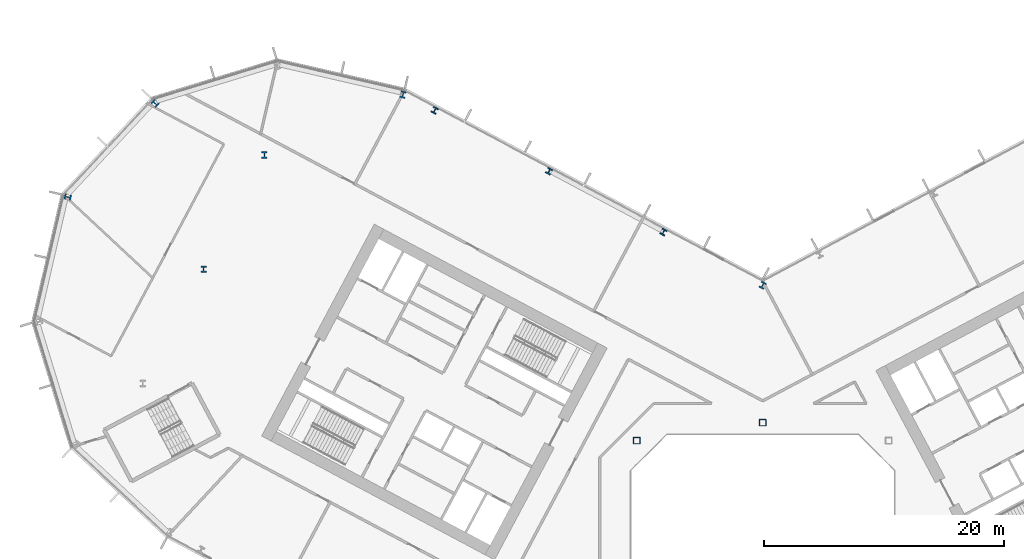
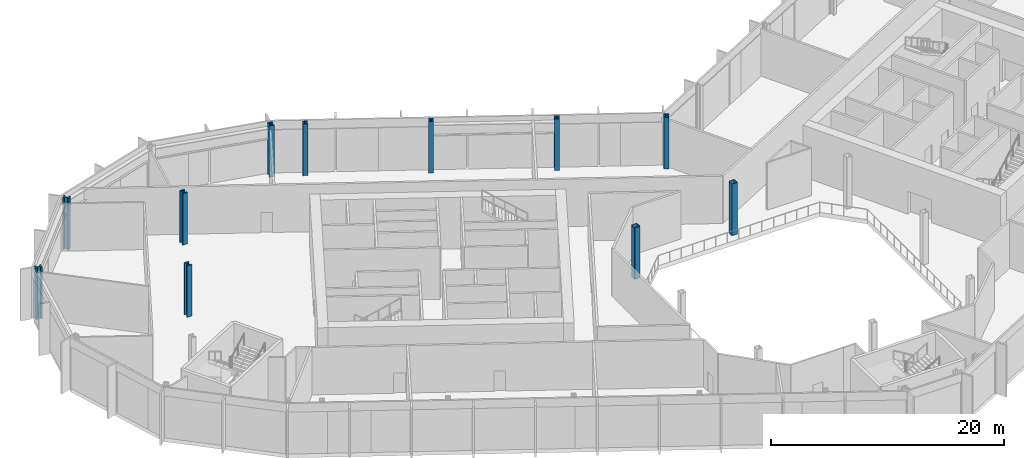
# One storey, part 2 of 31: 11 columns.
"""IFC4 building model written with IfcOpenShell, lengths in metres."""

import ifcopenshell
import ifcopenshell.guid

model = None  # the IFC model being written
_history = None  # IfcOwnerHistory: only IFC2X3 demands one
_inside = {}  # id of a spatial element -> (the spatial element, [elements in it])
_under = {}  # id of a project, library or spatial element -> (it, [spatial elements below it])
_declared = {}  # id of a project -> (the project, [libraries it declares])
_typed = {}  # id of a type object -> (the type object, [elements of that type])
_made_of = {}  # id of a material, layer set ... -> (it, [elements and type objects made of it])


def new_model(schema):
    """Start an empty IFC model of exactly this schema.

    Asked for "IFC4X3", IfcOpenShell would pick the latest addendum, in which some entities
    have other attributes; the version numbers below select the first issue.
    IFC2X3 requires an IfcOwnerHistory on every rooted entity: one is made here for all.
    """
    global model, _history
    if schema == "IFC4X3":
        model = ifcopenshell.file(schema_version=(4, 3, 0, 0))
    else:
        model = ifcopenshell.file(schema=schema)
    _inside.clear()
    _under.clear()
    _declared.clear()
    _typed.clear()
    _made_of.clear()
    _history = None
    if model.schema == "IFC2X3":
        org = make("IfcOrganization", Name="unknown")
        user = make(
            "IfcPersonAndOrganization",
            ThePerson=make("IfcPerson", FamilyName="unknown"),
            TheOrganization=org,
        )
        app = make(
            "IfcApplication",
            ApplicationDeveloper=org,
            Version="unknown",
            ApplicationFullName="unknown",
            ApplicationIdentifier="unknown",
        )
        _history = make(
            "IfcOwnerHistory",
            OwningUser=user,
            OwningApplication=app,
            ChangeAction="ADDED",
            CreationDate=0,
        )
    return model


def make(cls, **values):
    """One entity of the class cls with the attributes given. An attribute that is None is left unset."""
    return model.create_entity(
        cls, **{name: value for name, value in values.items() if value is not None}
    )


def rooted(cls, **values):
    """An entity with a GlobalId (a new one), such as an element, a storey or a relation."""
    return make(cls, GlobalId=ifcopenshell.guid.new(), OwnerHistory=_history, **values)


def si_unit(unit_type, name, prefix=None):
    """IfcSIUnit, for example si_unit("LENGTHUNIT", "METRE", prefix="MILLI")."""
    return make("IfcSIUnit", UnitType=unit_type, Prefix=prefix, Name=name)


def assignment(units):
    """IfcUnitAssignment: the units of a project."""
    return None if units is None else make("IfcUnitAssignment", Units=units)


def point(xyz):
    """IfcCartesianPoint."""
    return None if xyz is None else make("IfcCartesianPoint", Coordinates=xyz)


def direction(xyz):
    """IfcDirection."""
    return None if xyz is None else make("IfcDirection", DirectionRatios=xyz)


def frame(location, z_axis=None, x_axis=None):
    """IfcAxis2Placement3D, a coordinate frame: its origin and axes. An axis left out is left unset."""
    return make(
        "IfcAxis2Placement3D",
        Location=point(location),
        Axis=direction(z_axis),
        RefDirection=direction(x_axis),
    )


def frame_2d(location, x_axis=None):
    """IfcAxis2Placement2D, a coordinate frame in the plane: its origin and x axis."""
    return make(
        "IfcAxis2Placement2D", Location=point(location), RefDirection=direction(x_axis)
    )


def origin():
    """The frame at (0, 0, 0) with its axes left unset."""
    return frame((0.0, 0.0, 0.0))


def origin_2d():
    """The frame at (0, 0) in the plane with its x axis left unset."""
    return frame_2d((0.0, 0.0))


def place(relative_to, where):
    """IfcLocalPlacement: puts the frame where relative to a parent placement (None: the world)."""
    return make(
        "IfcLocalPlacement", PlacementRelTo=relative_to, RelativePlacement=where
    )


def context(
    kind, dimensions, precision=None, world=None, true_north=None, identifier=None
):
    """IfcGeometricRepresentationContext, for example the 3D "Model" context."""
    return make(
        "IfcGeometricRepresentationContext",
        ContextIdentifier=identifier,
        ContextType=kind,
        CoordinateSpaceDimension=dimensions,
        Precision=precision,
        WorldCoordinateSystem=world,
        TrueNorth=true_north,
    )


def subcontext(parent, identifier, kind, view, scale=None):
    """IfcGeometricRepresentationSubContext, for example "Body" below "Model"."""
    return make(
        "IfcGeometricRepresentationSubContext",
        ContextIdentifier=identifier,
        ContextType=kind,
        ParentContext=parent,
        TargetScale=scale,
        TargetView=view,
    )


def project(units=None, contexts=None):
    """IfcProject with its units and contexts."""
    return rooted(
        "IfcProject",
        Name="project",
        RepresentationContexts=contexts,
        UnitsInContext=assignment(units),
    )


def spatial(cls, under=None, at=None, **own):
    """A site, building, storey or space (cls), placed at a placement, below another one or the project."""
    s = rooted(cls, ObjectPlacement=at, **own)
    if under is not None:
        _under.setdefault(under.id(), (under, []))[1].append(s)
    return s


def profile(cls, at=None, kind="AREA", **sizes):
    """A parametric profile (cls). Its sizes go by their IFC names, for example OverallWidth=200.0."""
    return make(cls, ProfileType=kind, Position=at, **sizes)


def hollow_rectangle(**sizes):
    """IfcRectangleHollowProfileDef."""
    return profile("IfcRectangleHollowProfileDef", **sizes)


def i_section(**sizes):
    """IfcIShapeProfileDef."""
    return profile("IfcIShapeProfileDef", **sizes)


def extrude(swept, where, along, depth):
    """IfcExtrudedAreaSolid: the profile swept, set in the frame where, extruded along a direction by depth."""
    return make(
        "IfcExtrudedAreaSolid",
        SweptArea=swept,
        Position=where,
        ExtrudedDirection=direction(along),
        Depth=depth,
    )


def shape(context_of_items, identifier, shape_type, items):
    """IfcShapeRepresentation: the items that make up one representation, for example the "Body"."""
    return make(
        "IfcShapeRepresentation",
        ContextOfItems=context_of_items,
        RepresentationIdentifier=identifier,
        RepresentationType=shape_type,
        Items=items,
    )


def material(Name=None, Category=None):
    """IfcMaterial."""
    return make("IfcMaterial", Name=Name, Category=Category)


def material_profile(
    of_material, cross_section, Name=None, Category=None, Priority=None
):
    """IfcMaterialProfile: a cross section and its material."""
    return make(
        "IfcMaterialProfile",
        Name=Name,
        Material=of_material,
        Profile=cross_section,
        Priority=Priority,
        Category=Category,
    )


def profile_set(profiles, Name=None, composite=None):
    """IfcMaterialProfileSet."""
    return make(
        "IfcMaterialProfileSet",
        Name=Name,
        MaterialProfiles=profiles,
        CompositeProfile=composite,
    )


def made_of(thing, what):
    """Note that an element or type object is made of a material, layer set ...; save() writes the relation."""
    if what is not None:
        _made_of.setdefault(what.id(), (what, []))[1].append(thing)
    return thing


def type_object(cls, material=None, **own):
    """A type object (cls), such as IfcWallType, which elements share."""
    return made_of(rooted(cls, **own), material)


def element(
    cls,
    number,
    at=None,
    inside=None,
    cuts=None,
    type_object=None,
    material=None,
    context=None,
    identifier="Body",
    shape_type=None,
    held_by="IfcProductDefinitionShape",
    body=None,
    shapes=None,
    **own,
):
    """One element of the class cls, such as IfcWall. Its Tag is "e" and its number.

    at: its placement. inside: the storey or other place that contains it. cuts: it is an
    opening in that element (IfcRelVoidsElement). A single representation is given by context,
    identifier, shape_type and body (its items); several are given by shapes. held_by: the class
    of the entity that holds the representations. save() writes the other relations.
    """
    e = rooted(cls, Tag="e%d" % number, ObjectPlacement=at, **own)
    if body is not None:
        shapes = [shape(context, identifier, shape_type, body)]
    if shapes is not None:
        e.Representation = make(held_by, Representations=shapes)
    if inside is not None:
        _inside.setdefault(inside.id(), (inside, []))[1].append(e)
    if cuts is not None:
        rooted(
            "IfcRelVoidsElement", RelatingBuildingElement=cuts, RelatedOpeningElement=e
        )
    if type_object is not None:
        _typed.setdefault(type_object.id(), (type_object, []))[1].append(e)
    return made_of(e, material)


def aggregate(whole, parts):
    """IfcRelAggregates: a whole, such as a stair, and the parts it consists of."""
    return rooted("IfcRelAggregates", RelatingObject=whole, RelatedObjects=parts)


def save(model, path):
    """Write the relations noted so far, then the file.

    IfcRelAggregates (storeys below a building ...), IfcRelContainedInSpatialStructure (elements
    in a storey), IfcRelDefinesByType, IfcRelAssociatesMaterial and IfcRelDeclares: one each for
    every whole, place, type object, material and project.
    """
    for whole, parts in _under.values():
        aggregate(whole, parts)
    for where, things in _inside.values():
        rooted(
            "IfcRelContainedInSpatialStructure",
            RelatedElements=things,
            RelatingStructure=where,
        )
    for kind, things in _typed.values():
        rooted("IfcRelDefinesByType", RelatedObjects=things, RelatingType=kind)
    for what, things in _made_of.values():
        rooted("IfcRelAssociatesMaterial", RelatedObjects=things, RelatingMaterial=what)
    for by, libraries in _declared.values():
        rooted("IfcRelDeclares", RelatingContext=by, RelatedDefinitions=libraries)
    model.write(path)


model = new_model("IFC4")

# Units and contexts
model_context = context("Model", 3, precision=1e-05, world=origin(), true_north=direction((0.0, 1.0)))
body_context = subcontext(model_context, "Body", "Model", "MODEL_VIEW")
ifc_project = project(units=[si_unit("LENGTHUNIT", "METRE"), si_unit("AREAUNIT", "SQUARE_METRE"), si_unit("VOLUMEUNIT", "CUBIC_METRE"), si_unit("PLANEANGLEUNIT", "RADIAN"), si_unit("MASSUNIT", "GRAM", prefix="KILO")], contexts=[model_context])

# Site, building, storey
site_placement = place(None, origin())
site = spatial("IfcSite", under=ifc_project, at=site_placement, CompositionType="ELEMENT")
building_placement = place(site_placement, origin())
building = spatial("IfcBuilding", under=site, at=building_placement, Name="Cormorant Relay Tower", CompositionType="ELEMENT")
storey_placement = place(building_placement, frame((0.0, 0.0, 33.800048828125)))
storey = spatial("IfcBuildingStorey", under=building, at=storey_placement, Name="L06", CompositionType="ELEMENT", Elevation=33.800048828125)

# Columns
ifc_material_1 = material(Name="Steel ASTM A1085 Grade A (Fy 345 MPa)", Category="steel")
ifc_material_profile_1 = material_profile(ifc_material_1, hollow_rectangle(XDim=0.558837890625, YDim=0.558837890625, WallThickness=0.023681640625, InnerFilletRadius=0.01171875, OuterFilletRadius=0.035400390625, at=origin_2d()), Name="HSS559x559x24")
ifc_profile_set_1 = profile_set([ifc_material_profile_1], Name="Steel ASTM A1085 Grade A (Fy 345 MPa)")
column_type_1 = type_object("IfcColumnType", Name="Column HSS559x559x24", PredefinedType="COLUMN", material=ifc_profile_set_1)
for number, where, z_axis, x_axis, name in (
    (1, (-10.5, 10.5, 0.0), (0.0, 0.0, 1.0), (1.0, 0.0, 0.0), "Column L06-022"),
    (2, (0.0, 12.0, 0.0), (0.0, 0.0, 1.0), (1.0, 0.0, 0.0), "Column L06-024"),
):
    element("IfcColumn", number, at=place(storey_placement, frame(where, z_axis=z_axis, x_axis=x_axis)), inside=storey, type_object=column_type_1, Name=name, PredefinedType="COLUMN", context=body_context, shape_type="SweptSolid", body=[
        extrude(hollow_rectangle(XDim=0.558837890625, YDim=0.558837890625, WallThickness=0.023681640625, InnerFilletRadius=0.01171875, OuterFilletRadius=0.035400390625, at=origin_2d()), origin(), (0.0, 0.0, 1.0), 5.39990234375),
    ])
ifc_material_2 = material(Name="Steel ASTM A992 (Fy 345 MPa)", Category="steel")
ifc_material_profile_2 = material_profile(ifc_material_2, i_section(OverallWidth=0.45458984375, OverallDepth=0.569091796875, WebThickness=0.077880859375, FlangeThickness=0.124755859375, FilletRadius=0.015380859375, at=origin_2d()), Name="W360x1086")
ifc_profile_set_2 = profile_set([ifc_material_profile_2], Name="Steel ASTM A992 (Fy 345 MPa)")
column_type_2 = type_object("IfcColumnType", Name="Column W360x1086", PredefinedType="COLUMN", material=ifc_profile_set_2)
for number, where, z_axis, x_axis, name in (
    (3, (0.0, 23.4541015625, 0.0), (0.0, 0.0, 1.0), (-0.882947592859, 0.469471562786, 0.0), "Column L06-032"),
    (4, (-46.6201171875, 24.7880859375, 0.0), (0.0, 0.0, 1.0), (1.0, 0.0, 0.0), "Column L06-034"),
    (5, (-57.93896484375, 30.806884765625, 0.0), (0.0, 0.0, 1.0), (-0.224951054344, -0.974370064785, 0.0), "Column L06-038"),
    (6, (-41.549072265625, 34.323974609375, 0.0), (0.0, 0.0, 1.0), (1.0, 0.0, 0.0), "Column L06-043"),
    (7, (-50.659912109375, 38.613037109375, 0.0), (0.0, 0.0, 1.0), (-0.681998360062, -0.731353701619, 0.0), "Column L06-047"),
    (8, (-29.992919921875, 39.35009765625, 0.0), (0.0, 0.0, 1.0), (-0.974370064785, 0.224951054344, 0.0), "Column L06-048"),
):
    element("IfcColumn", number, at=place(storey_placement, frame(where, z_axis=z_axis, x_axis=x_axis)), inside=storey, type_object=column_type_2, Name=name, PredefinedType="COLUMN", context=body_context, shape_type="SweptSolid", body=[
        extrude(i_section(OverallWidth=0.45458984375, OverallDepth=0.569091796875, WebThickness=0.077880859375, FlangeThickness=0.124755859375, FilletRadius=0.015380859375, at=origin_2d()), origin(), (0.0, 0.0, 1.0), 5.39990234375),
    ])
ifc_material_3 = material(Name="Steel ASTM A992 (Fy 345 MPa)", Category="steel")
ifc_material_profile_3 = material_profile(ifc_material_3, i_section(OverallWidth=0.43701171875, OverallDepth=0.51318359375, WebThickness=0.060546875, FlangeThickness=0.096923828125, FilletRadius=0.015380859375, at=origin_2d()), Name="W360x818")
ifc_profile_set_3 = profile_set([ifc_material_profile_3], Name="Steel ASTM A992 (Fy 345 MPa)")
column_type_3 = type_object("IfcColumnType", Name="Column W360x818", PredefinedType="COLUMN", material=ifc_profile_set_3)
for number, where, z_axis, x_axis, name in (
    (9, (-8.27490234375, 27.889892578125, 0.0), (0.0, 0.0, 1.0), (-0.882947592859, 0.469471562786, 0.0), "Column L06-036"),
    (10, (-17.81103515625, 32.9599609375, 0.0), (0.0, 0.0, 1.0), (-0.882947592859, 0.469471562786, 0.0), "Column L06-041"),
    (11, (-27.346923828125, 38.030029296875, 0.0), (0.0, 0.0, 1.0), (-0.882947592859, 0.469471562786, 0.0), "Column L06-046"),
):
    element("IfcColumn", number, at=place(storey_placement, frame(where, z_axis=z_axis, x_axis=x_axis)), inside=storey, type_object=column_type_3, Name=name, PredefinedType="COLUMN", context=body_context, shape_type="SweptSolid", body=[
        extrude(i_section(OverallWidth=0.43701171875, OverallDepth=0.51318359375, WebThickness=0.060546875, FlangeThickness=0.096923828125, FilletRadius=0.015380859375, at=origin_2d()), origin(), (0.0, 0.0, 1.0), 5.39990234375),
    ])

save(model, "model.ifc")
